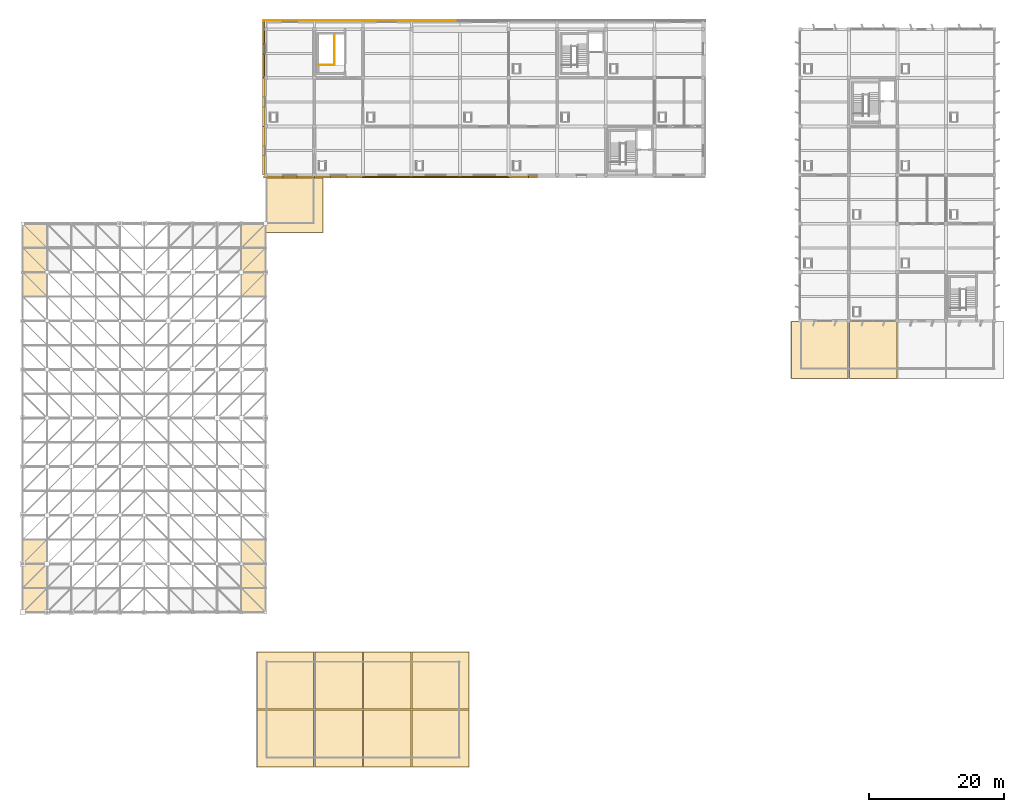
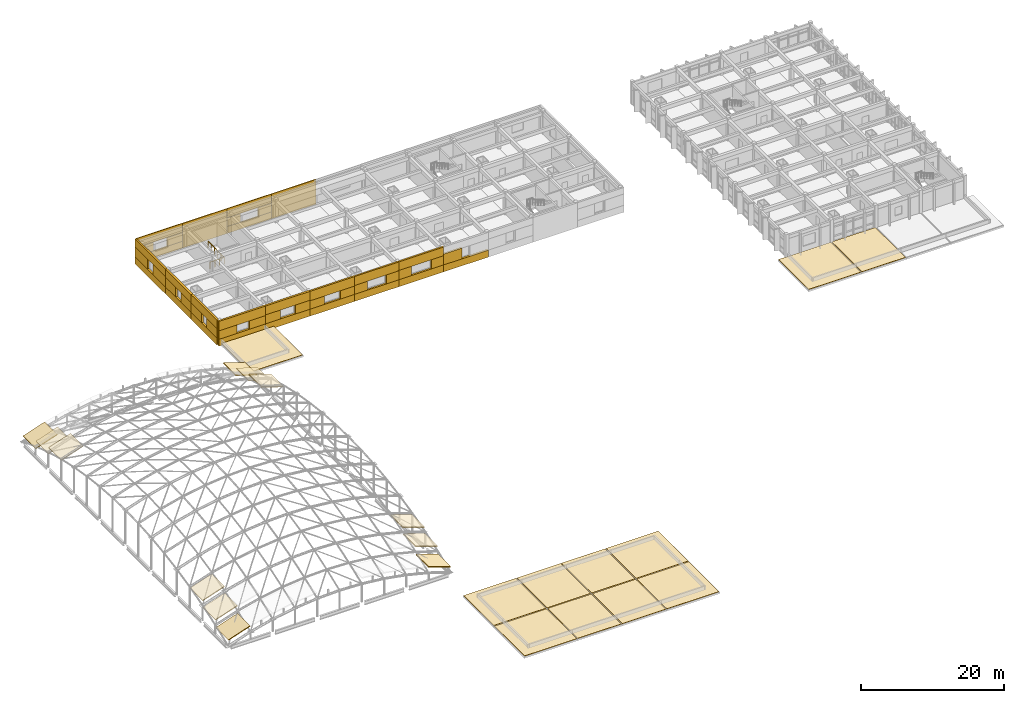
# One storey, part 38 of 40: 67 coverings, 1 railing.
"""IFC4 building model written with IfcOpenShell, lengths in metres."""

from ifc_helpers import new_model, si_unit, direction, frame, origin, origin_2d, place, context, subcontext, project, spatial, polyline, circle, outline, extrude, material, layer, layer_set, type_object, element, save


model = new_model("IFC4")

# Units and contexts
model_context = context("Model", 3, precision=1e-05, world=origin(), true_north=direction((0.0, 1.0)))
body_context = subcontext(model_context, "Body", "Model", "MODEL_VIEW")
ifc_project = project(units=[si_unit("LENGTHUNIT", "METRE"), si_unit("AREAUNIT", "SQUARE_METRE"), si_unit("VOLUMEUNIT", "CUBIC_METRE"), si_unit("PLANEANGLEUNIT", "RADIAN"), si_unit("MASSUNIT", "GRAM", prefix="KILO")], contexts=[model_context])

# Site, building, storey
site_placement = place(None, origin())
site = spatial("IfcSite", under=ifc_project, at=site_placement, CompositionType="ELEMENT")
building_placement = place(site_placement, origin())
building = spatial("IfcBuilding", under=site, at=building_placement, Name="Kavelor Marine Aquarium", CompositionType="ELEMENT")
storey_placement = place(building_placement, frame((0.0, 0.0, 17.639892578125)))
storey = spatial("IfcBuildingStorey", under=building, at=storey_placement, Name="L04", CompositionType="ELEMENT", Elevation=17.639892578125)

# Coverings
ifc_material_1 = material(Name="TPO Reflective Waterproof Roofing Membrane")
ifc_layer_1 = layer(ifc_material_1, 0.06005859375)
ifc_layer_set_1 = layer_set([ifc_layer_1], Name="COV-RF1")
covering_type_1 = type_object("IfcCoveringType", Name="COV-RF1", PredefinedType="ROOFING", material=ifc_layer_set_1)
covering_1_placement = place(storey_placement, origin())
element("IfcCovering", 1, at=covering_1_placement, inside=storey, type_object=covering_type_1, Name="rcov:L04:05_00", PredefinedType="ROOFING", context=body_context, shape_type="SweptSolid", body=[
    extrude(outline(polyline([(37.8798828125, 1.47998046875), (46.320068359375, 1.47998046875), (46.320068359375, 9.919921875), (37.8798828125, 9.919921875), (37.8798828125, 1.47998046875)])), origin(), (0.0, 0.0, 1.0), 0.06005859375),
])
covering_2_placement = place(storey_placement, origin())
element("IfcCovering", 2, at=covering_2_placement, inside=storey, type_object=covering_type_1, Name="rcov:L04:05_01", PredefinedType="ROOFING", context=body_context, shape_type="SweptSolid", body=[
    extrude(outline(polyline([(37.8798828125, 10.080078125), (46.320068359375, 10.080078125), (46.320068359375, 18.52001953125), (37.8798828125, 18.52001953125), (37.8798828125, 10.080078125)])), origin(), (0.0, 0.0, 1.0), 0.06005859375),
])
covering_3_placement = place(storey_placement, origin())
element("IfcCovering", 3, at=covering_3_placement, inside=storey, type_object=covering_type_1, Name="rcov:L04:05_11", PredefinedType="ROOFING", context=body_context, shape_type="SweptSolid", body=[
    extrude(outline(polyline([(39.280029296875, 80.679931640625), (47.719970703125, 80.679931640625), (47.719970703125, 89.1201171875), (39.280029296875, 89.1201171875), (39.280029296875, 80.679931640625)])), origin(), (0.0, 0.0, 1.0), 0.06005859375),
])
covering_4_placement = place(storey_placement, origin())
element("IfcCovering", 4, at=covering_4_placement, inside=storey, type_object=covering_type_1, Name="rcov:L04:06_00", PredefinedType="ROOFING", context=body_context, shape_type="SweptSolid", body=[
    extrude(outline(polyline([(46.47998046875, 1.47998046875), (53.52001953125, 1.47998046875), (53.52001953125, 9.919921875), (46.47998046875, 9.919921875), (46.47998046875, 1.47998046875)])), origin(), (0.0, 0.0, 1.0), 0.06005859375),
])
covering_5_placement = place(storey_placement, origin())
element("IfcCovering", 5, at=covering_5_placement, inside=storey, type_object=covering_type_1, Name="rcov:L04:06_01", PredefinedType="ROOFING", context=body_context, shape_type="SweptSolid", body=[
    extrude(outline(polyline([(46.47998046875, 10.080078125), (53.52001953125, 10.080078125), (53.52001953125, 18.52001953125), (46.47998046875, 18.52001953125), (46.47998046875, 10.080078125)])), origin(), (0.0, 0.0, 1.0), 0.06005859375),
])
covering_6_placement = place(storey_placement, origin())
element("IfcCovering", 6, at=covering_6_placement, inside=storey, type_object=covering_type_1, Name="rcov:L04:07_00", PredefinedType="ROOFING", context=body_context, shape_type="SweptSolid", body=[
    extrude(outline(polyline([(53.679931640625, 1.47998046875), (60.719970703125, 1.47998046875), (60.719970703125, 9.919921875), (53.679931640625, 9.919921875), (53.679931640625, 1.47998046875)])), origin(), (0.0, 0.0, 1.0), 0.06005859375),
])
covering_7_placement = place(storey_placement, origin())
element("IfcCovering", 7, at=covering_7_placement, inside=storey, type_object=covering_type_1, Name="rcov:L04:07_01", PredefinedType="ROOFING", context=body_context, shape_type="SweptSolid", body=[
    extrude(outline(polyline([(53.679931640625, 10.080078125), (60.719970703125, 10.080078125), (60.719970703125, 18.52001953125), (53.679931640625, 18.52001953125), (53.679931640625, 10.080078125)])), origin(), (0.0, 0.0, 1.0), 0.06005859375),
])
covering_8_placement = place(storey_placement, origin())
element("IfcCovering", 8, at=covering_8_placement, inside=storey, type_object=covering_type_1, Name="rcov:L04:08_00", PredefinedType="ROOFING", context=body_context, shape_type="SweptSolid", body=[
    extrude(outline(polyline([(60.8798828125, 1.47998046875), (69.320068359375, 1.47998046875), (69.320068359375, 9.919921875), (60.8798828125, 9.919921875), (60.8798828125, 1.47998046875)])), origin(), (0.0, 0.0, 1.0), 0.06005859375),
])
covering_9_placement = place(storey_placement, origin())
element("IfcCovering", 9, at=covering_9_placement, inside=storey, type_object=covering_type_1, Name="rcov:L04:08_01", PredefinedType="ROOFING", context=body_context, shape_type="SweptSolid", body=[
    extrude(outline(polyline([(60.8798828125, 10.080078125), (69.320068359375, 10.080078125), (69.320068359375, 18.52001953125), (60.8798828125, 18.52001953125), (60.8798828125, 10.080078125)])), origin(), (0.0, 0.0, 1.0), 0.06005859375),
])
covering_10_placement = place(storey_placement, origin())
element("IfcCovering", 10, at=covering_10_placement, inside=storey, type_object=covering_type_1, Name="rcov:L04:16_08", PredefinedType="ROOFING", context=body_context, shape_type="SweptSolid", body=[
    extrude(outline(polyline([(117.080078125, 59.080078125), (125.52001953125, 59.080078125), (125.52001953125, 67.52001953125), (117.080078125, 67.52001953125), (117.080078125, 59.080078125)])), origin(), (0.0, 0.0, 1.0), 0.06005859375),
])
covering_11_placement = place(storey_placement, origin())
element("IfcCovering", 11, at=covering_11_placement, inside=storey, type_object=covering_type_1, Name="rcov:L04:17_08", PredefinedType="ROOFING", context=body_context, shape_type="SweptSolid", body=[
    extrude(outline(polyline([(125.679931640625, 59.080078125), (132.719970703125, 59.080078125), (132.719970703125, 67.52001953125), (125.679931640625, 67.52001953125), (125.679931640625, 59.080078125)])), origin(), (0.0, 0.0, 1.0), 0.06005859375),
])
ifc_material_2 = material(Name="Standing-Seam Marine Aluminium Acoustic Roof Deck", Category="aluminium")
ifc_layer_2 = layer(ifc_material_2, 0.080078125)
ifc_layer_set_2 = layer_set([ifc_layer_2], Name="COV-RF2")
covering_type_2 = type_object("IfcCoveringType", Name="COV-RF2", PredefinedType="ROOFING", material=ifc_layer_set_2)
for number, where, z_axis, x_axis, name in (
    (12, (3.239990234375, 24.43994140625, 1.014404296875), (-0.318120869141, 0.0, 0.948050163555), (0.948050163555, 0.0, 0.318120869141), "gs:haunch:cov:00_00"),
    (13, (3.239990234375, 28.0400390625, 2.288818359375), (-0.318120869141, 0.0, 0.948050163555), (0.948050163555, 0.0, 0.318120869141), "gs:haunch:cov:00_01"),
    (14, (3.239990234375, 31.639892578125, 3.399658203125), (-0.318120869141, 0.0, 0.948050163555), (0.948050163555, 0.0, 0.318120869141), "gs:haunch:cov:00_02"),
    (15, (3.239990234375, 71.239990234375, 3.379638671875), (-0.318120869141, 0.0, 0.948050163555), (0.948050163555, 0.0, 0.318120869141), "gs:haunch:cov:00_13"),
    (16, (3.239990234375, 74.840087890625, 2.308837890625), (-0.318120869141, 0.0, 0.948050163555), (0.948050163555, 0.0, 0.318120869141), "gs:haunch:cov:00_14"),
    (17, (3.239990234375, 78.43994140625, 0.994384765625), (-0.318120869141, 0.0, 0.948050163555), (0.948050163555, 0.0, 0.318120869141), "gs:haunch:cov:00_15"),
    (18, (35.639892578125, 24.43994140625, 2.175537109375), (0.318120869141, 0.0, 0.948050163555), (0.948050163555, 0.0, -0.318120869141), "gs:haunch:cov:09_00"),
    (19, (35.639892578125, 28.0400390625, 3.489990234375), (0.318120869141, 0.0, 0.948050163555), (0.948050163555, 0.0, -0.318120869141), "gs:haunch:cov:09_01"),
    (20, (35.639892578125, 31.639892578125, 4.560791015625), (0.318120869141, 0.0, 0.948050163555), (0.948050163555, 0.0, -0.318120869141), "gs:haunch:cov:09_02"),
    (21, (35.639892578125, 71.239990234375, 4.580810546875), (0.318120869141, 0.0, 0.948050163555), (0.948050163555, 0.0, -0.318120869141), "gs:haunch:cov:09_13"),
    (22, (35.639892578125, 74.840087890625, 3.469970703125), (0.318120869141, 0.0, 0.948050163555), (0.948050163555, 0.0, -0.318120869141), "gs:haunch:cov:09_14"),
    (23, (35.639892578125, 78.43994140625, 2.195556640625), (0.318120869141, 0.0, 0.948050163555), (0.948050163555, 0.0, -0.318120869141), "gs:haunch:cov:09_15"),
):
    element("IfcCovering", number, at=place(storey_placement, frame(where, z_axis=z_axis, x_axis=x_axis)), inside=storey, type_object=covering_type_2, Name=name, PredefinedType="ROOFING", context=body_context, shape_type="SweptSolid", body=[
        extrude(outline(polyline([(0.0, 0.0), (3.7129043025006165, 0.0), (3.7129043025006165, 3.520019531250001), (0.0, 3.520019531250001), (0.0, 0.0)])), origin(), (0.0, 0.0, -1.0), 0.139892578125),
    ])
ifc_material_3 = material(Name="Smooth White Marine Aluminium Composite Cladding", Category="aluminium")
ifc_layer_3 = layer(ifc_material_3, 0.10009765625)
ifc_layer_set_3 = layer_set([ifc_layer_3], Name="COV-WM1")
covering_type_3 = type_object("IfcCoveringType", Name="COV-WM1", PredefinedType="CLADDING", material=ifc_layer_set_3)
covering_12_placement = place(storey_placement, frame((0.0, 0.0, -0.27978515625)))
element("IfcCovering", 24, at=covering_12_placement, inside=storey, type_object=covering_type_3, Name="wmc:x:L04:05_12:sill", PredefinedType="CLADDING", context=body_context, shape_type="SweptSolid", body=[
    extrude(outline(polyline([(38.85009765625, 88.760009765625), (46.39990234375, 88.760009765625), (46.39990234375, 89.070068359375), (38.85009765625, 89.070068359375), (38.85009765625, 88.760009765625)])), origin(), (0.0, 0.0, 1.0), 1.18994140625),
])
covering_13_placement = place(storey_placement, frame((0.0, 0.0, 2.340087890625)))
element("IfcCovering", 25, at=covering_13_placement, inside=storey, type_object=covering_type_3, Name="wmc:x:L04:05_12:head", PredefinedType="CLADDING", context=body_context, shape_type="SweptSolid", body=[
    extrude(outline(polyline([(38.85009765625, 88.760009765625), (46.39990234375, 88.760009765625), (46.39990234375, 89.070068359375), (38.85009765625, 89.070068359375), (38.85009765625, 88.760009765625)])), origin(), (0.0, 0.0, 1.0), 1.6201171875),
])
covering_14_placement = place(storey_placement, frame((0.0, 0.0, 0.91015625)))
element("IfcCovering", 26, at=covering_14_placement, inside=storey, type_object=covering_type_3, Name="wmc:x:L04:05_12:left", PredefinedType="CLADDING", context=body_context, shape_type="SweptSolid", body=[
    extrude(outline(polyline([(38.85009765625, 88.760009765625), (41.784912109375, 88.760009765625), (41.784912109375, 89.070068359375), (38.85009765625, 89.070068359375), (38.85009765625, 88.760009765625)])), origin(), (0.0, 0.0, 1.0), 1.429931640625),
])
covering_15_placement = place(storey_placement, frame((0.0, 0.0, 0.91015625)))
element("IfcCovering", 27, at=covering_15_placement, inside=storey, type_object=covering_type_3, Name="wmc:x:L04:05_12:right", PredefinedType="CLADDING", context=body_context, shape_type="SweptSolid", body=[
    extrude(outline(polyline([(43.81494140625, 88.760009765625), (46.39990234375, 88.760009765625), (46.39990234375, 89.070068359375), (43.81494140625, 89.070068359375), (43.81494140625, 88.760009765625)])), origin(), (0.0, 0.0, 1.0), 1.429931640625),
])
covering_16_placement = place(storey_placement, frame((0.0, 0.0, -0.27978515625)))
element("IfcCovering", 28, at=covering_16_placement, inside=storey, type_object=covering_type_3, Name="wmc:x:L04:05_15:sill", PredefinedType="CLADDING", context=body_context, shape_type="SweptSolid", body=[
    extrude(outline(polyline([(38.85009765625, 112.050048828125), (46.39990234375, 112.050048828125), (46.39990234375, 112.169921875), (38.85009765625, 112.169921875), (38.85009765625, 112.050048828125)])), origin(), (0.0, 0.0, 1.0), 1.18994140625),
])
covering_17_placement = place(storey_placement, frame((0.0, 0.0, 2.39013671875)))
element("IfcCovering", 29, at=covering_17_placement, inside=storey, type_object=covering_type_3, Name="wmc:x:L04:05_15:head", PredefinedType="CLADDING", context=body_context, shape_type="SweptSolid", body=[
    extrude(outline(polyline([(38.85009765625, 112.050048828125), (46.39990234375, 112.050048828125), (46.39990234375, 112.169921875), (38.85009765625, 112.169921875), (38.85009765625, 112.050048828125)])), origin(), (0.0, 0.0, 1.0), 1.570068359375),
])
covering_18_placement = place(storey_placement, frame((0.0, 0.0, 0.91015625)))
element("IfcCovering", 30, at=covering_18_placement, inside=storey, type_object=covering_type_3, Name="wmc:x:L04:05_15:left", PredefinedType="CLADDING", context=body_context, shape_type="SweptSolid", body=[
    extrude(outline(polyline([(38.85009765625, 112.050048828125), (41.68505859375, 112.050048828125), (41.68505859375, 112.169921875), (38.85009765625, 112.169921875), (38.85009765625, 112.050048828125)])), origin(), (0.0, 0.0, 1.0), 1.47998046875),
])
covering_19_placement = place(storey_placement, frame((0.0, 0.0, 0.91015625)))
element("IfcCovering", 31, at=covering_19_placement, inside=storey, type_object=covering_type_3, Name="wmc:x:L04:05_15:right", PredefinedType="CLADDING", context=body_context, shape_type="SweptSolid", body=[
    extrude(outline(polyline([(43.9150390625, 112.050048828125), (46.39990234375, 112.050048828125), (46.39990234375, 112.169921875), (43.9150390625, 112.169921875), (43.9150390625, 112.050048828125)])), origin(), (0.0, 0.0, 1.0), 1.47998046875),
])
covering_20_placement = place(storey_placement, frame((0.0, 0.0, -0.27978515625)))
element("IfcCovering", 32, at=covering_20_placement, inside=storey, type_object=covering_type_3, Name="wmc:x:L04:06_12:sill", PredefinedType="CLADDING", context=body_context, shape_type="SweptSolid", body=[
    extrude(outline(polyline([(46.39990234375, 88.760009765625), (53.60009765625, 88.760009765625), (53.60009765625, 89.080078125), (46.39990234375, 89.080078125), (46.39990234375, 88.760009765625)])), origin(), (0.0, 0.0, 1.0), 1.18994140625),
])
covering_21_placement = place(storey_placement, frame((0.0, 0.0, 2.440185546875)))
element("IfcCovering", 33, at=covering_21_placement, inside=storey, type_object=covering_type_3, Name="wmc:x:L04:06_12:head", PredefinedType="CLADDING", context=body_context, shape_type="SweptSolid", body=[
    extrude(outline(polyline([(46.39990234375, 88.760009765625), (53.60009765625, 88.760009765625), (53.60009765625, 89.080078125), (46.39990234375, 89.080078125), (46.39990234375, 88.760009765625)])), origin(), (0.0, 0.0, 1.0), 1.52001953125),
])
covering_22_placement = place(storey_placement, frame((0.0, 0.0, 0.91015625)))
element("IfcCovering", 34, at=covering_22_placement, inside=storey, type_object=covering_type_3, Name="wmc:x:L04:06_12:left", PredefinedType="CLADDING", context=body_context, shape_type="SweptSolid", body=[
    extrude(outline(polyline([(46.39990234375, 88.760009765625), (48.784912109375, 88.760009765625), (48.784912109375, 89.080078125), (46.39990234375, 89.080078125), (46.39990234375, 88.760009765625)])), origin(), (0.0, 0.0, 1.0), 1.530029296875),
])
covering_23_placement = place(storey_placement, frame((0.0, 0.0, 0.91015625)))
element("IfcCovering", 35, at=covering_23_placement, inside=storey, type_object=covering_type_3, Name="wmc:x:L04:06_12:right", PredefinedType="CLADDING", context=body_context, shape_type="SweptSolid", body=[
    extrude(outline(polyline([(51.215087890625, 88.760009765625), (53.60009765625, 88.760009765625), (53.60009765625, 89.080078125), (51.215087890625, 89.080078125), (51.215087890625, 88.760009765625)])), origin(), (0.0, 0.0, 1.0), 1.530029296875),
])
covering_24_placement = place(storey_placement, frame((0.0, 0.0, -0.27978515625)))
element("IfcCovering", 36, at=covering_24_placement, inside=storey, type_object=covering_type_3, Name="wmc:x:L04:06_15:full", PredefinedType="CLADDING", context=body_context, shape_type="SweptSolid", body=[
    extrude(outline(polyline([(46.39990234375, 112.030029296875), (53.60009765625, 112.030029296875), (53.60009765625, 112.14990234375), (46.39990234375, 112.14990234375), (46.39990234375, 112.030029296875)])), origin(), (0.0, 0.0, 1.0), 4.239990234375),
])
covering_25_placement = place(storey_placement, frame((0.0, 0.0, -0.27978515625)))
element("IfcCovering", 37, at=covering_25_placement, inside=storey, type_object=covering_type_3, Name="wmc:x:L04:07_12:sill", PredefinedType="CLADDING", context=body_context, shape_type="SweptSolid", body=[
    extrude(outline(polyline([(53.60009765625, 88.760009765625), (60.800048828125, 88.760009765625), (60.800048828125, 89.0400390625), (53.60009765625, 89.0400390625), (53.60009765625, 88.760009765625)])), origin(), (0.0, 0.0, 1.0), 1.18994140625),
])
covering_26_placement = place(storey_placement, frame((0.0, 0.0, 2.340087890625)))
element("IfcCovering", 38, at=covering_26_placement, inside=storey, type_object=covering_type_3, Name="wmc:x:L04:07_12:head", PredefinedType="CLADDING", context=body_context, shape_type="SweptSolid", body=[
    extrude(outline(polyline([(53.60009765625, 88.760009765625), (60.800048828125, 88.760009765625), (60.800048828125, 89.0400390625), (53.60009765625, 89.0400390625), (53.60009765625, 88.760009765625)])), origin(), (0.0, 0.0, 1.0), 1.6201171875),
])
covering_27_placement = place(storey_placement, frame((0.0, 0.0, 0.91015625)))
element("IfcCovering", 39, at=covering_27_placement, inside=storey, type_object=covering_type_3, Name="wmc:x:L04:07_12:left", PredefinedType="CLADDING", context=body_context, shape_type="SweptSolid", body=[
    extrude(outline(polyline([(53.60009765625, 88.760009765625), (55.885009765625, 88.760009765625), (55.885009765625, 89.0400390625), (53.60009765625, 89.0400390625), (53.60009765625, 88.760009765625)])), origin(), (0.0, 0.0, 1.0), 1.429931640625),
])
covering_28_placement = place(storey_placement, frame((0.0, 0.0, 0.91015625)))
element("IfcCovering", 40, at=covering_28_placement, inside=storey, type_object=covering_type_3, Name="wmc:x:L04:07_12:right", PredefinedType="CLADDING", context=body_context, shape_type="SweptSolid", body=[
    extrude(outline(polyline([(58.514892578125, 88.760009765625), (60.800048828125, 88.760009765625), (60.800048828125, 89.0400390625), (58.514892578125, 89.0400390625), (58.514892578125, 88.760009765625)])), origin(), (0.0, 0.0, 1.0), 1.429931640625),
])
covering_29_placement = place(storey_placement, frame((0.0, 0.0, -0.27978515625)))
element("IfcCovering", 41, at=covering_29_placement, inside=storey, type_object=covering_type_3, Name="wmc:x:L04:07_15:sill", PredefinedType="CLADDING", context=body_context, shape_type="SweptSolid", body=[
    extrude(outline(polyline([(53.60009765625, 112.02001953125), (60.800048828125, 112.02001953125), (60.800048828125, 112.139892578125), (53.60009765625, 112.139892578125), (53.60009765625, 112.02001953125)])), origin(), (0.0, 0.0, 1.0), 1.18994140625),
])
covering_30_placement = place(storey_placement, frame((0.0, 0.0, 2.39013671875)))
element("IfcCovering", 42, at=covering_30_placement, inside=storey, type_object=covering_type_3, Name="wmc:x:L04:07_15:head", PredefinedType="CLADDING", context=body_context, shape_type="SweptSolid", body=[
    extrude(outline(polyline([(53.60009765625, 112.02001953125), (60.800048828125, 112.02001953125), (60.800048828125, 112.139892578125), (53.60009765625, 112.139892578125), (53.60009765625, 112.02001953125)])), origin(), (0.0, 0.0, 1.0), 1.570068359375),
])
covering_31_placement = place(storey_placement, frame((0.0, 0.0, 0.91015625)))
element("IfcCovering", 43, at=covering_31_placement, inside=storey, type_object=covering_type_3, Name="wmc:x:L04:07_15:left", PredefinedType="CLADDING", context=body_context, shape_type="SweptSolid", body=[
    extrude(outline(polyline([(53.60009765625, 112.02001953125), (55.784912109375, 112.02001953125), (55.784912109375, 112.139892578125), (53.60009765625, 112.139892578125), (53.60009765625, 112.02001953125)])), origin(), (0.0, 0.0, 1.0), 1.47998046875),
])
covering_32_placement = place(storey_placement, frame((0.0, 0.0, 0.91015625)))
element("IfcCovering", 44, at=covering_32_placement, inside=storey, type_object=covering_type_3, Name="wmc:x:L04:07_15:right", PredefinedType="CLADDING", context=body_context, shape_type="SweptSolid", body=[
    extrude(outline(polyline([(58.614990234375, 112.02001953125), (60.800048828125, 112.02001953125), (60.800048828125, 112.139892578125), (58.614990234375, 112.139892578125), (58.614990234375, 112.02001953125)])), origin(), (0.0, 0.0, 1.0), 1.47998046875),
])
covering_33_placement = place(storey_placement, frame((0.0, 0.0, -0.27978515625)))
element("IfcCovering", 45, at=covering_33_placement, inside=storey, type_object=covering_type_3, Name="wmc:x:L04:08_12:sill", PredefinedType="CLADDING", context=body_context, shape_type="SweptSolid", body=[
    extrude(outline(polyline([(60.800048828125, 88.760009765625), (68.0, 88.760009765625), (68.0, 89.030029296875), (60.800048828125, 89.030029296875), (60.800048828125, 88.760009765625)])), origin(), (0.0, 0.0, 1.0), 1.18994140625),
])
covering_34_placement = place(storey_placement, frame((0.0, 0.0, 2.440185546875)))
element("IfcCovering", 46, at=covering_34_placement, inside=storey, type_object=covering_type_3, Name="wmc:x:L04:08_12:head", PredefinedType="CLADDING", context=body_context, shape_type="SweptSolid", body=[
    extrude(outline(polyline([(60.800048828125, 88.760009765625), (68.0, 88.760009765625), (68.0, 89.030029296875), (60.800048828125, 89.030029296875), (60.800048828125, 88.760009765625)])), origin(), (0.0, 0.0, 1.0), 1.52001953125),
])
covering_35_placement = place(storey_placement, frame((0.0, 0.0, 0.91015625)))
element("IfcCovering", 47, at=covering_35_placement, inside=storey, type_object=covering_type_3, Name="wmc:x:L04:08_12:left", PredefinedType="CLADDING", context=body_context, shape_type="SweptSolid", body=[
    extrude(outline(polyline([(60.800048828125, 88.760009765625), (62.885009765625, 88.760009765625), (62.885009765625, 89.030029296875), (60.800048828125, 89.030029296875), (60.800048828125, 88.760009765625)])), origin(), (0.0, 0.0, 1.0), 1.530029296875),
])
covering_36_placement = place(storey_placement, frame((0.0, 0.0, 0.91015625)))
element("IfcCovering", 48, at=covering_36_placement, inside=storey, type_object=covering_type_3, Name="wmc:x:L04:08_12:right", PredefinedType="CLADDING", context=body_context, shape_type="SweptSolid", body=[
    extrude(outline(polyline([(65.9150390625, 88.760009765625), (68.0, 88.760009765625), (68.0, 89.030029296875), (65.9150390625, 89.030029296875), (65.9150390625, 88.760009765625)])), origin(), (0.0, 0.0, 1.0), 1.530029296875),
])
covering_37_placement = place(storey_placement, frame((0.0, 0.0, -0.27978515625)))
element("IfcCovering", 49, at=covering_37_placement, inside=storey, type_object=covering_type_3, Name="wmc:x:L04:08_15:full", PredefinedType="CLADDING", context=body_context, shape_type="SweptSolid", body=[
    extrude(outline(polyline([(60.800048828125, 112.010009765625), (68.0, 112.010009765625), (68.0, 112.1298828125), (60.800048828125, 112.1298828125), (60.800048828125, 112.010009765625)])), origin(), (0.0, 0.0, 1.0), 4.239990234375),
])
covering_38_placement = place(storey_placement, frame((0.0, 0.0, -0.27978515625)))
element("IfcCovering", 50, at=covering_38_placement, inside=storey, type_object=covering_type_3, Name="wmc:x:L04:09_12:sill", PredefinedType="CLADDING", context=body_context, shape_type="SweptSolid", body=[
    extrude(outline(polyline([(67.64990234375, 88.760009765625), (75.199951171875, 88.760009765625), (75.199951171875, 89.050048828125), (67.64990234375, 89.050048828125), (67.64990234375, 88.760009765625)])), origin(), (0.0, 0.0, 1.0), 1.18994140625),
])
covering_39_placement = place(storey_placement, frame((0.0, 0.0, 2.489990234375)))
element("IfcCovering", 51, at=covering_39_placement, inside=storey, type_object=covering_type_3, Name="wmc:x:L04:09_12:head", PredefinedType="CLADDING", context=body_context, shape_type="SweptSolid", body=[
    extrude(outline(polyline([(67.64990234375, 88.760009765625), (75.199951171875, 88.760009765625), (75.199951171875, 89.050048828125), (67.64990234375, 89.050048828125), (67.64990234375, 88.760009765625)])), origin(), (0.0, 0.0, 1.0), 1.47021484375),
])
covering_40_placement = place(storey_placement, frame((0.0, 0.0, 0.91015625)))
element("IfcCovering", 52, at=covering_40_placement, inside=storey, type_object=covering_type_3, Name="wmc:x:L04:09_12:left", PredefinedType="CLADDING", context=body_context, shape_type="SweptSolid", body=[
    extrude(outline(polyline([(67.64990234375, 88.760009765625), (69.9599609375, 88.760009765625), (69.9599609375, 89.050048828125), (67.64990234375, 89.050048828125), (67.64990234375, 88.760009765625)])), origin(), (0.0, 0.0, 1.0), 1.579833984375),
])
covering_41_placement = place(storey_placement, frame((0.0, 0.0, 0.91015625)))
element("IfcCovering", 53, at=covering_41_placement, inside=storey, type_object=covering_type_3, Name="wmc:x:L04:09_12:right", PredefinedType="CLADDING", context=body_context, shape_type="SweptSolid", body=[
    extrude(outline(polyline([(73.239990234375, 88.760009765625), (75.199951171875, 88.760009765625), (75.199951171875, 89.050048828125), (73.239990234375, 89.050048828125), (73.239990234375, 88.760009765625)])), origin(), (0.0, 0.0, 1.0), 1.579833984375),
])
covering_42_placement = place(storey_placement, frame((0.0, 0.0, -0.27978515625)))
element("IfcCovering", 54, at=covering_42_placement, inside=storey, type_object=covering_type_3, Name="wmc:x:L04:10_12:sill", PredefinedType="CLADDING", context=body_context, shape_type="SweptSolid", body=[
    extrude(outline(polyline([(75.199951171875, 88.760009765625), (82.39990234375, 88.760009765625), (82.39990234375, 89.06005859375), (75.199951171875, 89.06005859375), (75.199951171875, 88.760009765625)])), origin(), (0.0, 0.0, 1.0), 1.18994140625),
])
covering_43_placement = place(storey_placement, frame((0.0, 0.0, 0.91015625)))
element("IfcCovering", 55, at=covering_43_placement, inside=storey, type_object=covering_type_3, Name="wmc:x:L04:10_12:left", PredefinedType="CLADDING", context=body_context, shape_type="SweptSolid", body=[
    extrude(outline(polyline([(75.199951171875, 88.760009765625), (78.135009765625, 88.760009765625), (78.135009765625, 89.06005859375), (75.199951171875, 89.06005859375), (75.199951171875, 88.760009765625)])), origin(), (0.0, 0.0, 1.0), 1.829833984375),
])
covering_44_placement = place(storey_placement, frame((0.0, 0.0, -0.27978515625)))
element("IfcCovering", 56, at=covering_44_placement, inside=storey, type_object=covering_type_3, Name="wmc:y:L04:05_12:sill", PredefinedType="CLADDING", context=body_context, shape_type="SweptSolid", body=[
    extrude(outline(polyline([(38.760009765625, 89.199951171875), (39.070068359375, 89.199951171875), (39.070068359375, 96.39990234375), (38.760009765625, 96.39990234375), (38.760009765625, 89.199951171875)])), origin(), (0.0, 0.0, 1.0), 1.18994140625),
])
covering_45_placement = place(storey_placement, frame((0.0, 0.0, 2.5400390625)))
element("IfcCovering", 57, at=covering_45_placement, inside=storey, type_object=covering_type_3, Name="wmc:y:L04:05_12:head", PredefinedType="CLADDING", context=body_context, shape_type="SweptSolid", body=[
    extrude(outline(polyline([(38.760009765625, 89.199951171875), (39.070068359375, 89.199951171875), (39.070068359375, 96.39990234375), (38.760009765625, 96.39990234375), (38.760009765625, 89.199951171875)])), origin(), (0.0, 0.0, 1.0), 1.420166015625),
])
covering_46_placement = place(storey_placement, frame((0.0, 0.0, 0.91015625)))
element("IfcCovering", 58, at=covering_46_placement, inside=storey, type_object=covering_type_3, Name="wmc:y:L04:05_12:left", PredefinedType="CLADDING", context=body_context, shape_type="SweptSolid", body=[
    extrude(outline(polyline([(38.760009765625, 89.199951171875), (39.070068359375, 89.199951171875), (39.070068359375, 92.110107421875), (38.760009765625, 92.110107421875), (38.760009765625, 89.199951171875)])), origin(), (0.0, 0.0, 1.0), 1.6298828125),
])
covering_47_placement = place(storey_placement, frame((0.0, 0.0, 0.91015625)))
element("IfcCovering", 59, at=covering_47_placement, inside=storey, type_object=covering_type_3, Name="wmc:y:L04:05_12:right", PredefinedType="CLADDING", context=body_context, shape_type="SweptSolid", body=[
    extrude(outline(polyline([(38.760009765625, 93.489990234375), (39.070068359375, 93.489990234375), (39.070068359375, 96.39990234375), (38.760009765625, 96.39990234375), (38.760009765625, 93.489990234375)])), origin(), (0.0, 0.0, 1.0), 1.6298828125),
])
covering_48_placement = place(storey_placement, frame((0.0, 0.0, -0.27978515625)))
element("IfcCovering", 60, at=covering_48_placement, inside=storey, type_object=covering_type_3, Name="wmc:y:L04:05_13:sill", PredefinedType="CLADDING", context=body_context, shape_type="SweptSolid", body=[
    extrude(outline(polyline([(38.760009765625, 96.39990234375), (39.080078125, 96.39990234375), (39.080078125, 103.60009765625), (38.760009765625, 103.60009765625), (38.760009765625, 96.39990234375)])), origin(), (0.0, 0.0, 1.0), 1.18994140625),
])
covering_49_placement = place(storey_placement, frame((0.0, 0.0, 2.590087890625)))
element("IfcCovering", 61, at=covering_49_placement, inside=storey, type_object=covering_type_3, Name="wmc:y:L04:05_13:head", PredefinedType="CLADDING", context=body_context, shape_type="SweptSolid", body=[
    extrude(outline(polyline([(38.760009765625, 96.39990234375), (39.080078125, 96.39990234375), (39.080078125, 103.60009765625), (38.760009765625, 103.60009765625), (38.760009765625, 96.39990234375)])), origin(), (0.0, 0.0, 1.0), 1.3701171875),
])
covering_50_placement = place(storey_placement, frame((0.0, 0.0, 0.91015625)))
element("IfcCovering", 62, at=covering_50_placement, inside=storey, type_object=covering_type_3, Name="wmc:y:L04:05_13:left", PredefinedType="CLADDING", context=body_context, shape_type="SweptSolid", body=[
    extrude(outline(polyline([(38.760009765625, 96.39990234375), (39.080078125, 96.39990234375), (39.080078125, 99.260009765625), (38.760009765625, 99.260009765625), (38.760009765625, 96.39990234375)])), origin(), (0.0, 0.0, 1.0), 1.679931640625),
])
covering_51_placement = place(storey_placement, frame((0.0, 0.0, 0.91015625)))
element("IfcCovering", 63, at=covering_51_placement, inside=storey, type_object=covering_type_3, Name="wmc:y:L04:05_13:right", PredefinedType="CLADDING", context=body_context, shape_type="SweptSolid", body=[
    extrude(outline(polyline([(38.760009765625, 100.739990234375), (39.080078125, 100.739990234375), (39.080078125, 103.60009765625), (38.760009765625, 103.60009765625), (38.760009765625, 100.739990234375)])), origin(), (0.0, 0.0, 1.0), 1.679931640625),
])
covering_52_placement = place(storey_placement, frame((0.0, 0.0, -0.27978515625)))
element("IfcCovering", 64, at=covering_52_placement, inside=storey, type_object=covering_type_3, Name="wmc:y:L04:05_14:sill", PredefinedType="CLADDING", context=body_context, shape_type="SweptSolid", body=[
    extrude(outline(polyline([(38.760009765625, 103.60009765625), (39.0400390625, 103.60009765625), (39.0400390625, 112.0400390625), (38.760009765625, 112.0400390625), (38.760009765625, 103.60009765625)])), origin(), (0.0, 0.0, 1.0), 1.18994140625),
])
covering_53_placement = place(storey_placement, frame((0.0, 0.0, 2.64013671875)))
element("IfcCovering", 65, at=covering_53_placement, inside=storey, type_object=covering_type_3, Name="wmc:y:L04:05_14:head", PredefinedType="CLADDING", context=body_context, shape_type="SweptSolid", body=[
    extrude(outline(polyline([(38.760009765625, 103.60009765625), (39.0400390625, 103.60009765625), (39.0400390625, 112.0400390625), (38.760009765625, 112.0400390625), (38.760009765625, 103.60009765625)])), origin(), (0.0, 0.0, 1.0), 1.320068359375),
])
covering_54_placement = place(storey_placement, frame((0.0, 0.0, 0.91015625)))
element("IfcCovering", 66, at=covering_54_placement, inside=storey, type_object=covering_type_3, Name="wmc:y:L04:05_14:left", PredefinedType="CLADDING", context=body_context, shape_type="SweptSolid", body=[
    extrude(outline(polyline([(38.760009765625, 103.60009765625), (39.0400390625, 103.60009765625), (39.0400390625, 107.072509765625), (38.760009765625, 107.072509765625), (38.760009765625, 103.60009765625)])), origin(), (0.0, 0.0, 1.0), 1.72998046875),
])
covering_55_placement = place(storey_placement, frame((0.0, 0.0, 0.91015625)))
element("IfcCovering", 67, at=covering_55_placement, inside=storey, type_object=covering_type_3, Name="wmc:y:L04:05_14:right", PredefinedType="CLADDING", context=body_context, shape_type="SweptSolid", body=[
    extrude(outline(polyline([(38.760009765625, 108.652587890625), (39.0400390625, 108.652587890625), (39.0400390625, 112.0400390625), (38.760009765625, 112.0400390625), (38.760009765625, 108.652587890625)])), origin(), (0.0, 0.0, 1.0), 1.72998046875),
])

# Railing
ifc_material_4 = material(Name="Brushed Stainless Steel Stair Guardrail", Category="steel")
railing_type = type_object("IfcRailingType", Name="RL-SG1", PredefinedType="GUARDRAIL", material=ifc_material_4)
railing_placement = place(storey_placement, frame((47.080078125, 105.47998046875, 0.0)))
element("IfcRailing", 68, at=railing_placement, inside=storey, type_object=railing_type, Name="Stairwell Guardrail ST05-W", PredefinedType="GUARDRAIL", context=body_context, shape_type="SweptSolid", body=[
    extrude(circle(Radius=0.0224609375, at=origin_2d()), frame((0.0, 0.0, 1.09765625), z_axis=(1.0, 0.0, 0.0), x_axis=(0.0, 1.0, 0.0)), (0.0, 0.0, 1.0), 2.2998046875),
    extrude(circle(Radius=0.0224609375, at=origin_2d()), frame((2.2998046875, 0.0, 1.09765625), z_axis=(0.0, 1.0, 0.0), x_axis=(-1.0, 0.0, 0.0)), (0.0, 0.0, 1.0), 4.590087890625),
    extrude(circle(Radius=0.02099609375, at=origin_2d()), origin(), (0.0, 0.0, 1.0), 1.0751953125),
    extrude(circle(Radius=0.02099609375, at=origin_2d()), frame((0.7666015625, 0.0, 0.0)), (0.0, 0.0, 1.0), 1.0751953125),
    extrude(circle(Radius=0.02099609375, at=origin_2d()), frame((1.533203125, 0.0, 0.0)), (0.0, 0.0, 1.0), 1.0751953125),
    extrude(circle(Radius=0.02099609375, at=origin_2d()), frame((2.2998046875, 0.0, 0.0)), (0.0, 0.0, 1.0), 1.0751953125),
    extrude(circle(Radius=0.02099609375, at=origin_2d()), frame((2.2998046875, 0.91796875, 0.0)), (0.0, 0.0, 1.0), 1.0751953125),
    extrude(circle(Radius=0.02099609375, at=origin_2d()), frame((2.2998046875, 1.8359375, 0.0)), (0.0, 0.0, 1.0), 1.0751953125),
    extrude(circle(Radius=0.02099609375, at=origin_2d()), frame((2.2998046875, 2.754150390625, 0.0)), (0.0, 0.0, 1.0), 1.0751953125),
    extrude(circle(Radius=0.02099609375, at=origin_2d()), frame((2.2998046875, 3.672119140625, 0.0)), (0.0, 0.0, 1.0), 1.0751953125),
    extrude(circle(Radius=0.02099609375, at=origin_2d()), frame((2.2998046875, 4.590087890625, 0.0)), (0.0, 0.0, 1.0), 1.0751953125),
])

save(model, "model.ifc")
